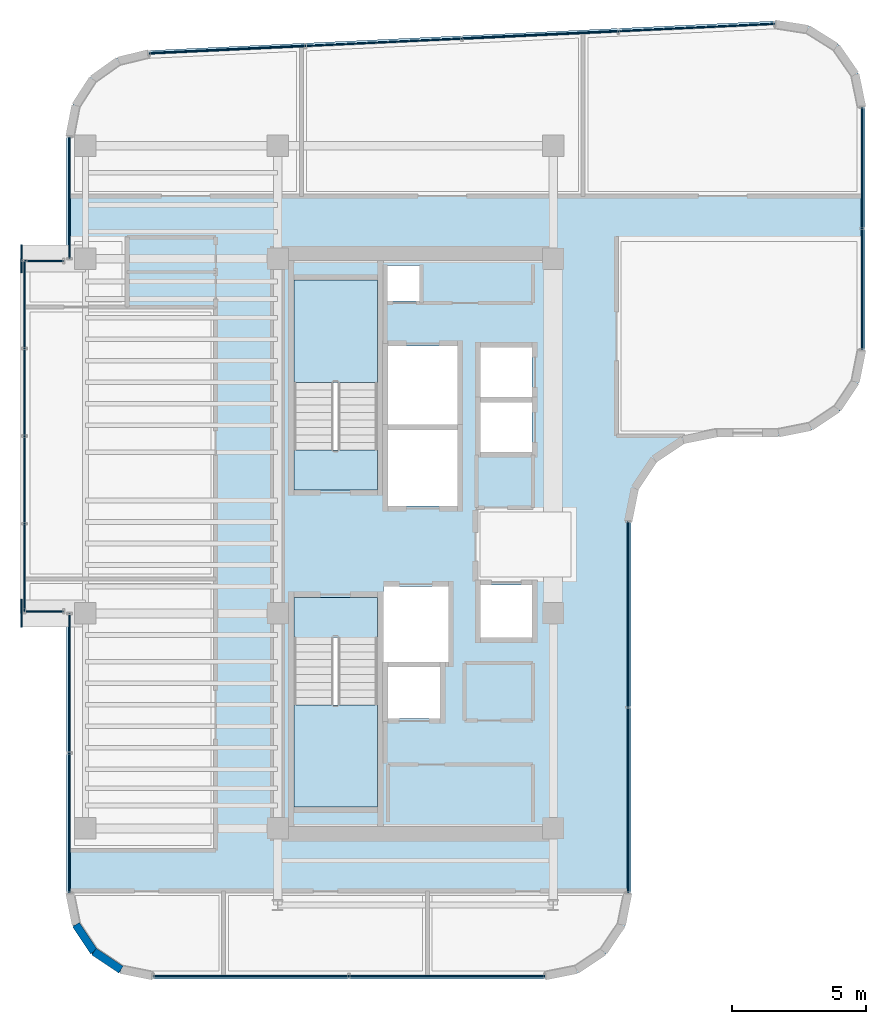
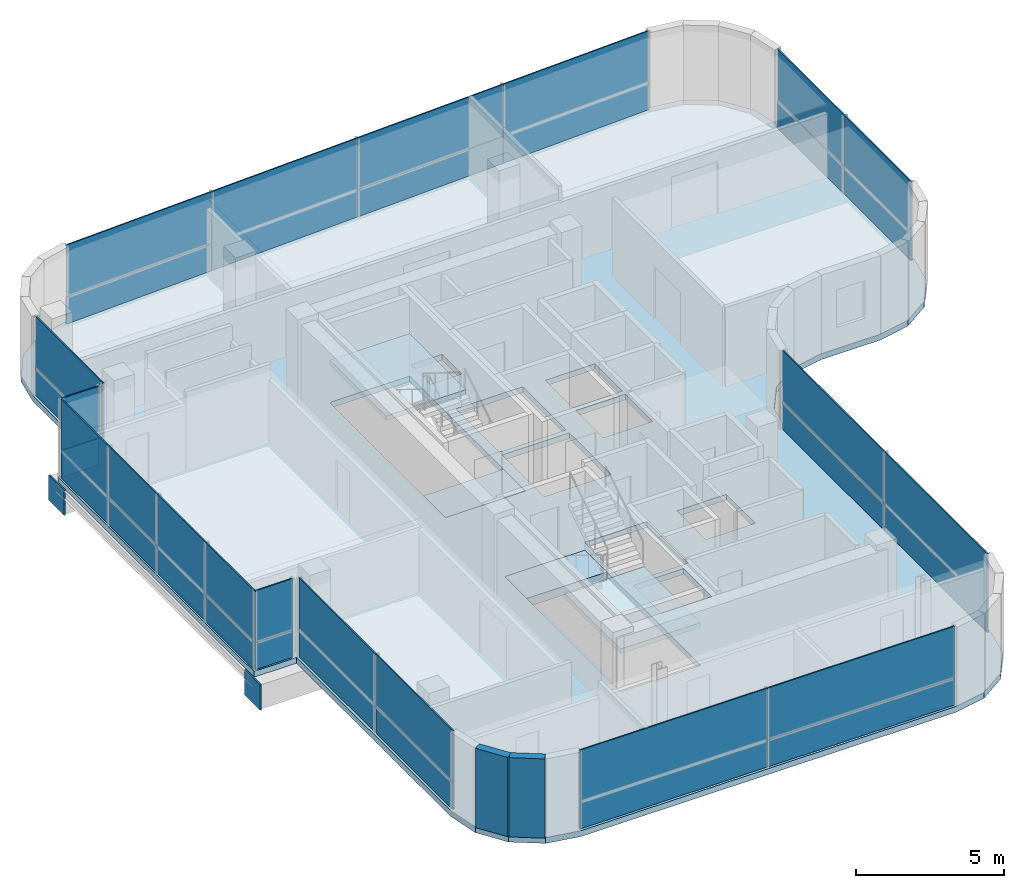
# One storey, part 13 of 18: 32 plates, 5 slabs, 2 walls, 11 elements without a shape of their own.
"""IFC4 building model written with IfcOpenShell, lengths in metres."""

from ifc_helpers import new_model, si_unit, direction, frame, frame_2d, origin, origin_2d, place, context, subcontext, project, spatial, polyline, rectangle, outline, extrude, source, transform, mapped, material, layer, layer_set, type_object, element, aggregate, save


model = new_model("IFC4")

# Units and contexts
model_context = context("Model", 3, precision=1e-05, world=origin(), true_north=direction((0.0, 1.0)))
body_context = subcontext(model_context, "Body", "Model", "MODEL_VIEW")
ifc_project = project(units=[si_unit("LENGTHUNIT", "METRE"), si_unit("AREAUNIT", "SQUARE_METRE"), si_unit("VOLUMEUNIT", "CUBIC_METRE"), si_unit("PLANEANGLEUNIT", "RADIAN"), si_unit("MASSUNIT", "GRAM", prefix="KILO")], contexts=[model_context])

# Site, building, storey
site_placement = place(None, origin())
site = spatial("IfcSite", under=ifc_project, at=site_placement, CompositionType="ELEMENT")
building_placement = place(site_placement, origin())
building = spatial("IfcBuilding", under=site, at=building_placement, Name="Valdorenza Pilgrim Sanctuary Tower", CompositionType="ELEMENT")
storey_placement = place(building_placement, frame((0.0, 0.0, 276.5)))
storey = spatial("IfcBuildingStorey", under=building, at=storey_placement, Name="L72", CompositionType="ELEMENT", Elevation=276.5)

# Slab
ifc_material_1 = material(Name="Concrete C40/50", Category="concrete")
ifc_layer_1 = layer(ifc_material_1, 0.239990234375, Name="Concrete C40/50")
ifc_layer_set_1 = layer_set([ifc_layer_1], Name="Concrete C40/50")
slab_type_1 = type_object("IfcSlabType", Name="SLAB-FLR-220", PredefinedType="FLOOR", material=ifc_layer_set_1)
slab_1_placement = place(storey_placement, frame((0.0, 0.0, -0.239990234375)))
element("IfcSlab", 1, at=slab_1_placement, inside=storey, type_object=slab_type_1, Name="L72 Structural Floor Slab 1", PredefinedType="FLOOR", context=body_context, shape_type="SweptSolid", body=[
    extrude(outline(polyline([(-30.2705078125, 16.3369140625), (-29.615478515625, 17.356201171875), (-28.628173828125, 18.05859375), (-27.45068359375, 18.34375), (-4.150634765625, 19.442138671875), (-2.880615234375, 19.243408203125), (-1.791259765625, 18.56103515625), (-1.05810546875, 17.5048828125), (-0.800048828125, 16.24560546875), (-0.800048828125, 7.199951171875), (-1.043701171875, 5.975341796875), (-1.7373046875, 4.937255859375), (-2.775390625, 4.24365234375), (-4.0, 4.0), (-6.300048828125, 4.0), (-7.524658203125, 3.75634765625), (-8.562744140625, 3.062744140625), (-9.25634765625, 2.024658203125), (-9.5, 0.800048828125), (-9.5, -13.0), (-9.74365234375, -14.224609375), (-10.437255859375, -15.2626953125), (-11.475341796875, -15.956298828125), (-12.699951171875, -16.199951171875), (-27.300048828125, -16.199951171875), (-28.524658203125, -15.956298828125), (-29.562744140625, -15.2626953125), (-30.25634765625, -14.224609375), (-30.5, -13.0), (-30.5, -2.60009765625), (-32.14990234375, -2.60009765625), (-32.14990234375, 10.60009765625), (-30.5, 10.60009765625), (-30.5, 15.147216796875), (-30.2705078125, 16.3369140625)]), holes=[polyline([(-22.050048828125, -9.800048828125), (-18.93994140625, -9.800048828125), (-18.93994140625, -3.485107421875), (-18.93994140625, -2.0), (-22.050048828125, -2.0), (-22.050048828125, -3.485107421875), (-22.050048828125, -9.800048828125)]), polyline([(-16.60009765625, -6.5), (-16.60009765625, -4.60009765625), (-18.550048828125, -4.60009765625), (-18.550048828125, -6.5), (-16.60009765625, -6.5)]), polyline([(-22.050048828125, 2.0), (-18.93994140625, 2.0), (-18.93994140625, 3.485107421875), (-18.93994140625, 9.800048828125), (-22.050048828125, 9.800048828125), (-22.050048828125, 3.485107421875), (-22.050048828125, 2.0)]), polyline([(-17.360107421875, 9.030029296875), (-17.360107421875, 10.35009765625), (-18.570068359375, 10.35009765625), (-18.570068359375, 9.030029296875), (-17.360107421875, 9.030029296875)]), polyline([(-16.300048828125, -1.60009765625), (-18.719970703125, -1.60009765625), (-18.719970703125, -4.39990234375), (-16.300048828125, -4.39990234375), (-16.300048828125, -1.60009765625)]), polyline([(-13.179931640625, -3.5), (-13.179931640625, -1.550048828125), (-15.10009765625, -1.550048828125), (-15.10009765625, -3.5), (-13.179931640625, -3.5)]), polyline([(-15.949951171875, 1.39990234375), (-15.949951171875, 4.22509765625), (-18.550048828125, 4.22509765625), (-18.550048828125, 1.39990234375), (-15.949951171875, 1.39990234375)]), polyline([(-13.179931640625, 5.25), (-15.10009765625, 5.25), (-15.10009765625, 3.39990234375), (-13.179931640625, 3.39990234375), (-13.179931640625, 5.25)]), polyline([(-15.949951171875, 4.425048828125), (-15.949951171875, 7.35009765625), (-18.550048828125, 7.35009765625), (-18.550048828125, 4.425048828125), (-15.949951171875, 4.425048828125)]), polyline([(-13.179931640625, 5.449951171875), (-13.179931640625, 7.300048828125), (-15.10009765625, 7.300048828125), (-15.10009765625, 5.449951171875), (-13.179931640625, 5.449951171875)])]), origin(), (0.0, 0.0, 1.0), 0.239990234375),
])

# Stair, slab
stair_type = type_object("IfcStairType", Name="STR-DOG-CORE", PredefinedType="HALF_TURN_STAIR", material=ifc_material_1)
stair_1_placement = place(storey_placement, origin())
stair_1 = element("IfcStair", 2, at=stair_1_placement, inside=storey, type_object=stair_type, Name="L72 ST-A1", PredefinedType="HALF_TURN_STAIR")
ifc_layer_2 = layer(ifc_material_1, 0.199951171875, Name="Concrete C40/50")
ifc_layer_set_2 = layer_set([ifc_layer_2], Name="Concrete C40/50")
slab_type_2 = type_object("IfcSlabType", Name="SLAB-STL-200", PredefinedType="LANDING", material=ifc_layer_set_2)
slab_2_placement = place(storey_placement, frame((0.0, 0.0, 1.550048828125)))
slab_2 = element("IfcSlab", 3, at=slab_2_placement, type_object=slab_type_2, Name="ST-A1 landing 1", PredefinedType="LANDING", context=body_context, shape_type="SweptSolid", body=[
    extrude(outline(polyline([(-18.93994140625, 6.0), (-18.93994140625, 9.800048828125), (-22.050048828125, 9.800048828125), (-22.050048828125, 6.0), (-18.93994140625, 6.0)])), origin(), (0.0, 0.0, 1.0), 0.199951171875),
])
aggregate(stair_1, [slab_2])

stair_2_placement = place(storey_placement, origin())
stair_2 = element("IfcStair", 4, at=stair_2_placement, inside=storey, type_object=stair_type, Name="L72 ST-A2", PredefinedType="HALF_TURN_STAIR")
slab_3_placement = place(storey_placement, frame((0.0, 0.0, 1.550048828125)))
slab_3 = element("IfcSlab", 5, at=slab_3_placement, type_object=slab_type_2, Name="ST-A2 landing 1", PredefinedType="LANDING", context=body_context, shape_type="SweptSolid", body=[
    extrude(outline(polyline([(-22.050048828125, -6.0), (-22.050048828125, -9.800048828125), (-18.93994140625, -9.800048828125), (-18.93994140625, -6.0), (-22.050048828125, -6.0)])), origin(), (0.0, 0.0, 1.0), 0.199951171875),
])
aggregate(stair_2, [slab_3])

# Slabs
ifc_material_2 = material(Name="Concrete C50/60", Category="concrete")
ifc_layer_3 = layer(ifc_material_2, 0.39990234375, Name="Concrete C50/60")
ifc_layer_set_3 = layer_set([ifc_layer_3], Name="Concrete C50/60")
slab_type_3 = type_object("IfcSlabType", Name="SLAB-TRF-400", PredefinedType="FLOOR", material=ifc_layer_set_3)
slab_4_placement = place(storey_placement, frame((0.0, 0.0, -0.360107421875)))
element("IfcSlab", 6, at=slab_4_placement, inside=storey, type_object=slab_type_3, Name="L72 ST-A1 Structural Stair Landing Bearing Slab", PredefinedType="FLOOR", context=body_context, shape_type="SweptSolid", body=[
    extrude(outline(polyline([(-22.050048828125, 2.0), (-18.93994140625, 2.0), (-18.93994140625, 3.485107421875), (-22.050048828125, 3.485107421875), (-22.050048828125, 2.0)])), origin(), (0.0, 0.0, 1.0), 0.360107421875),
])
slab_5_placement = place(storey_placement, frame((0.0, 0.0, -0.360107421875)))
element("IfcSlab", 7, at=slab_5_placement, inside=storey, type_object=slab_type_3, Name="L72 ST-A2 Structural Stair Landing Bearing Slab", PredefinedType="FLOOR", context=body_context, shape_type="SweptSolid", body=[
    extrude(outline(polyline([(-22.050048828125, -3.485107421875), (-18.93994140625, -3.485107421875), (-18.93994140625, -2.0), (-22.050048828125, -2.0), (-22.050048828125, -3.485107421875)])), origin(), (0.0, 0.0, 1.0), 0.360107421875),
])

# Plates
ifc_material_3 = material(Name="Steel ASTM A572 Grade 42", Category="steel")
ifc_layer_4 = layer(ifc_material_3, 0.06005859375, Name="Steel ASTM A572 Grade 42")
ifc_layer_set_4 = layer_set([ifc_layer_4], Name="Steel ASTM A572 Grade 42")
plate_type_1 = type_object("IfcPlateType", Name="PLT-CAP-60", PredefinedType="SHEET", material=ifc_layer_set_4)
shared_shape_1 = source(origin(), body_context, "Body", "SweptSolid", [
    extrude(rectangle(XDim=0.06005859375, YDim=1.0400390625, at=origin_2d()), origin(), (0.0, 0.0, 1.0), 1.0400390625),
])
for number, where, z_axis, x_axis, name in (
    (8, (-32.179931640625, 10.60009765625, -1.260009765625), (0.0, 0.0, 1.0), (1.0, 0.0, 0.0), "L72 BOX-WA-L72 Cantilever Tip End Cap N"),
    (9, (-32.179931640625, -2.60009765625, -1.260009765625), (0.0, 0.0, 1.0), (1.0, 0.0, 0.0), "L72 BOX-WA-L72 Cantilever Tip End Cap S"),
):
    element("IfcPlate", number, at=place(storey_placement, frame(where, z_axis=z_axis, x_axis=x_axis)), inside=storey, type_object=plate_type_1, Name=name, PredefinedType="SHEET", context=body_context, shape_type="MappedRepresentation", body=[
        mapped(shared_shape_1, transform((0.0, 0.0, 0.0), x_axis=(1.0, 0.0, 0.0), y_axis=(0.0, 1.0, 0.0), z_axis=(0.0, 0.0, 1.0), scale=1.0)),
    ])

# Curtain wall, plate
ifc_material_4 = material(Name="Curtain-wall IGU glazing", Category="glass")
curtain_wall_type = type_object("IfcCurtainWallType", Name="CW-SYS-02", PredefinedType="NOTDEFINED", material=ifc_material_4)
curtain_wall_1_placement = place(storey_placement, origin())
curtain_wall_1 = element("IfcCurtainWall", 10, at=curtain_wall_1_placement, inside=storey, type_object=curtain_wall_type, Name="L72 Curtain Wall CW-L72-BOX-WA-L72-S", PredefinedType="NOTDEFINED")
ifc_material_5 = material(Name="Honed travertine limestone", Category="masonry")
ifc_layer_5 = layer(ifc_material_5, 0.050048828125, Name="Honed travertine limestone")
ifc_layer_set_5 = layer_set([ifc_layer_5], Name="Honed travertine limestone")
plate_type_2 = type_object("IfcPlateType", Name="CW-SPN-TRV", PredefinedType="USERDEFINED", material=ifc_layer_set_5)
shared_shape_2 = source(origin(), body_context, "Body", "SweptSolid", [
    extrude(rectangle(XDim=1.43994140625, YDim=0.06005859375, at=origin_2d()), origin(), (0.0, 0.0, 1.0), 1.10009765625),
])
plate_1_placement = place(storey_placement, frame((-31.340087890625, -2.52001953125, 0.010009765625), z_axis=(0.0, 0.0, 1.0), x_axis=(-1.0, 0.0, 0.0)))
plate_1 = element("IfcPlate", 11, at=plate_1_placement, type_object=plate_type_2, Name="CW-L72-BOX-WA-L72-S Travertine Spandrel 1", ObjectType="SPANDREL", PredefinedType="USERDEFINED", context=body_context, shape_type="MappedRepresentation", body=[
    mapped(shared_shape_2, transform((0.0, 0.0, 0.0), x_axis=(1.0, 0.0, 0.0), y_axis=(0.0, 1.0, 0.0), z_axis=(0.0, 0.0, 1.0), scale=1.0)),
])

curtain_wall_2_placement = place(storey_placement, origin())
curtain_wall_2 = element("IfcCurtainWall", 12, at=curtain_wall_2_placement, inside=storey, type_object=curtain_wall_type, Name="L72 Curtain Wall CW-L72-BOX-WA-L72-N", PredefinedType="NOTDEFINED")
plate_2_placement = place(storey_placement, frame((-31.340087890625, 10.52001953125, 0.010009765625), z_axis=(0.0, 0.0, 1.0), x_axis=(1.0, 0.0, 0.0)))
plate_2 = element("IfcPlate", 13, at=plate_2_placement, type_object=plate_type_2, Name="CW-L72-BOX-WA-L72-N Travertine Spandrel 1", ObjectType="SPANDREL", PredefinedType="USERDEFINED", context=body_context, shape_type="MappedRepresentation", body=[
    mapped(shared_shape_2, transform((0.0, 0.0, 0.0), x_axis=(1.0, 0.0, 0.0), y_axis=(0.0, 1.0, 0.0), z_axis=(0.0, 0.0, 1.0), scale=1.0)),
])

# Curtain wall, plates
curtain_wall_3_placement = place(storey_placement, origin())
curtain_wall_3 = element("IfcCurtainWall", 14, at=curtain_wall_3_placement, inside=storey, type_object=curtain_wall_type, Name="L72 Curtain Wall CW-L72-BOX-WA-L72-F", PredefinedType="NOTDEFINED")
shared_shape_3 = source(origin(), body_context, "Body", "SweptSolid", [
    extrude(rectangle(XDim=3.239990234375, YDim=0.06005859375, at=origin_2d()), origin(), (0.0, 0.0, 1.0), 1.10009765625),
])
plate_3_placement = place(storey_placement, frame((-32.070068359375, -0.889892578125, 0.010009765625), z_axis=(0.0, 0.0, 1.0), x_axis=(0.0, 1.0, 0.0)))
plate_3 = element("IfcPlate", 15, at=plate_3_placement, type_object=plate_type_2, Name="CW-L72-BOX-WA-L72-F Travertine Spandrel 1", ObjectType="SPANDREL", PredefinedType="USERDEFINED", context=body_context, shape_type="MappedRepresentation", body=[
    mapped(shared_shape_3, transform((0.0, 0.0, 0.0), x_axis=(1.0, 0.0, 0.0), y_axis=(0.0, 1.0, 0.0), z_axis=(0.0, 0.0, 1.0), scale=1.0)),
])
plate_4_placement = place(storey_placement, frame((-32.070068359375, 5.6298828125, 0.010009765625), z_axis=(0.0, 0.0, 1.0), x_axis=(0.0, 1.0, 0.0)))
plate_4 = element("IfcPlate", 16, at=plate_4_placement, type_object=plate_type_2, Name="CW-L72-BOX-WA-L72-F Travertine Spandrel 3", ObjectType="SPANDREL", PredefinedType="USERDEFINED", context=body_context, shape_type="MappedRepresentation", body=[
    mapped(shared_shape_3, transform((0.0, 0.0, 0.0), x_axis=(1.0, 0.0, 0.0), y_axis=(0.0, 1.0, 0.0), z_axis=(0.0, 0.0, 1.0), scale=1.0)),
])

# Plate
ifc_material_6 = material(Name="Ceramic-fritted low-E IGU glazing", Category="glass")
ifc_layer_6 = layer(ifc_material_6, 0.035888671875, Name="Ceramic-fritted low-E IGU glazing")
ifc_layer_set_6 = layer_set([ifc_layer_6], Name="Ceramic-fritted low-E IGU glazing")
plate_type_3 = type_object("IfcPlateType", Name="CW-GLZ-IGU", PredefinedType="USERDEFINED", material=ifc_layer_set_6)
shared_shape_4 = source(origin(), body_context, "Body", "SweptSolid", [
    extrude(rectangle(XDim=1.43994140625, YDim=0.050048828125, at=origin_2d()), origin(), (0.0, 0.0, 1.0), 2.1201171875),
])
plate_5_placement = place(storey_placement, frame((-31.340087890625, -2.52001953125, 1.1298828125), z_axis=(0.0, 0.0, 1.0), x_axis=(-1.0, 0.0, 0.0)))
plate_5 = element("IfcPlate", 17, at=plate_5_placement, type_object=plate_type_3, Name="CW-L72-BOX-WA-L72-S Facade Panel 1", ObjectType="GLAZING", PredefinedType="USERDEFINED", context=body_context, shape_type="MappedRepresentation", body=[
    mapped(shared_shape_4, transform((0.0, 0.0, 0.0), x_axis=(1.0, 0.0, 0.0), y_axis=(0.0, 1.0, 0.0), z_axis=(0.0, 0.0, 1.0), scale=1.0)),
])

aggregate(curtain_wall_1, [plate_1, plate_5])

plate_6_placement = place(storey_placement, frame((-31.340087890625, 10.52001953125, 1.1298828125), z_axis=(0.0, 0.0, 1.0), x_axis=(1.0, 0.0, 0.0)))
plate_6 = element("IfcPlate", 18, at=plate_6_placement, type_object=plate_type_3, Name="CW-L72-BOX-WA-L72-N Facade Panel 1", ObjectType="GLAZING", PredefinedType="USERDEFINED", context=body_context, shape_type="MappedRepresentation", body=[
    mapped(shared_shape_4, transform((0.0, 0.0, 0.0), x_axis=(1.0, 0.0, 0.0), y_axis=(0.0, 1.0, 0.0), z_axis=(0.0, 0.0, 1.0), scale=1.0)),
])

aggregate(curtain_wall_2, [plate_2, plate_6])

shared_shape_5 = source(origin(), body_context, "Body", "SweptSolid", [
    extrude(rectangle(XDim=3.239990234375, YDim=0.050048828125, at=origin_2d()), origin(), (0.0, 0.0, 1.0), 2.1201171875),
])
plate_7_placement = place(storey_placement, frame((-32.070068359375, -0.889892578125, 1.1298828125), z_axis=(0.0, 0.0, 1.0), x_axis=(0.0, 1.0, 0.0)))
plate_7 = element("IfcPlate", 19, at=plate_7_placement, type_object=plate_type_3, Name="CW-L72-BOX-WA-L72-F Facade Panel 1", ObjectType="GLAZING", PredefinedType="USERDEFINED", context=body_context, shape_type="MappedRepresentation", body=[
    mapped(shared_shape_5, transform((0.0, 0.0, 0.0), x_axis=(1.0, 0.0, 0.0), y_axis=(0.0, 1.0, 0.0), z_axis=(0.0, 0.0, 1.0), scale=1.0)),
])

plate_8_placement = place(storey_placement, frame((-32.070068359375, 5.6298828125, 1.1298828125), z_axis=(0.0, 0.0, 1.0), x_axis=(0.0, 1.0, 0.0)))
plate_8 = element("IfcPlate", 20, at=plate_8_placement, type_object=plate_type_3, Name="CW-L72-BOX-WA-L72-F Facade Panel 3", ObjectType="GLAZING", PredefinedType="USERDEFINED", context=body_context, shape_type="MappedRepresentation", body=[
    mapped(shared_shape_5, transform((0.0, 0.0, 0.0), x_axis=(1.0, 0.0, 0.0), y_axis=(0.0, 1.0, 0.0), z_axis=(0.0, 0.0, 1.0), scale=1.0)),
])

shared_shape_6 = source(origin(), body_context, "Body", "SweptSolid", [
    extrude(rectangle(XDim=3.239990234375, YDim=0.050048828125, at=origin_2d()), origin(), (0.0, 0.0, 1.0), 3.239990234375),
])
plate_9_placement = place(storey_placement, frame((-32.070068359375, 2.3701171875, 0.009765625), z_axis=(0.0, 0.0, 1.0), x_axis=(0.0, 1.0, 0.0)))
plate_9 = element("IfcPlate", 21, at=plate_9_placement, type_object=plate_type_3, Name="CW-L72-BOX-WA-L72-F Full-Height Facade Panel 2", ObjectType="GLAZING", PredefinedType="USERDEFINED", context=body_context, shape_type="MappedRepresentation", body=[
    mapped(shared_shape_6, transform((0.0, 0.0, 0.0), x_axis=(1.0, 0.0, 0.0), y_axis=(0.0, 1.0, 0.0), z_axis=(0.0, 0.0, 1.0), scale=1.0)),
])

plate_10_placement = place(storey_placement, frame((-32.070068359375, 8.889892578125, 0.009765625), z_axis=(0.0, 0.0, 1.0), x_axis=(0.0, 1.0, 0.0)))
plate_10 = element("IfcPlate", 22, at=plate_10_placement, type_object=plate_type_3, Name="CW-L72-BOX-WA-L72-F Full-Height Facade Panel 4", ObjectType="GLAZING", PredefinedType="USERDEFINED", context=body_context, shape_type="MappedRepresentation", body=[
    mapped(shared_shape_6, transform((0.0, 0.0, 0.0), x_axis=(1.0, 0.0, 0.0), y_axis=(0.0, 1.0, 0.0), z_axis=(0.0, 0.0, 1.0), scale=1.0)),
])

aggregate(curtain_wall_3, [plate_3, plate_7, plate_9, plate_4, plate_8, plate_10])

# Curtain wall, plates
curtain_wall_4_placement = place(storey_placement, origin())
curtain_wall_4 = element("IfcCurtainWall", 23, at=curtain_wall_4_placement, inside=storey, type_object=curtain_wall_type, Name="L72 Curtain Wall CW-L72-1-1S1", PredefinedType="NOTDEFINED")
shared_shape_7 = source(origin(), body_context, "Body", "SweptSolid", [
    extrude(rectangle(XDim=5.174560546875, YDim=0.06005859375, at=origin_2d()), origin(), (0.0, 0.0, 1.0), 1.10009765625),
])
plate_11_placement = place(storey_placement, frame((-30.389892578125, -10.391845703125, 0.010009765625), z_axis=(0.0, 0.0, 1.0), x_axis=(0.0, 1.0, 0.0)))
plate_11 = element("IfcPlate", 24, at=plate_11_placement, type_object=plate_type_2, Name="CW-L72-1-1S1 Travertine Spandrel 1", ObjectType="SPANDREL", PredefinedType="USERDEFINED", context=body_context, shape_type="MappedRepresentation", body=[
    mapped(shared_shape_7, transform((0.0, 0.0, 0.0), x_axis=(1.0, 0.0, 0.0), y_axis=(0.0, 1.0, 0.0), z_axis=(0.0, 0.0, 1.0), scale=1.0)),
])
shared_shape_8 = source(origin(), body_context, "Body", "SweptSolid", [
    extrude(rectangle(XDim=5.174560546875, YDim=0.050048828125, at=origin_2d()), origin(), (0.0, 0.0, 1.0), 2.1201171875),
])
plate_12_placement = place(storey_placement, frame((-30.389892578125, -10.391845703125, 1.1298828125), z_axis=(0.0, 0.0, 1.0), x_axis=(0.0, 1.0, 0.0)))
plate_12 = element("IfcPlate", 25, at=plate_12_placement, type_object=plate_type_3, Name="CW-L72-1-1S1 Facade Panel 1", ObjectType="GLAZING", PredefinedType="USERDEFINED", context=body_context, shape_type="MappedRepresentation", body=[
    mapped(shared_shape_8, transform((0.0, 0.0, 0.0), x_axis=(1.0, 0.0, 0.0), y_axis=(0.0, 1.0, 0.0), z_axis=(0.0, 0.0, 1.0), scale=1.0)),
])
shared_shape_9 = source(origin(), body_context, "Body", "SweptSolid", [
    extrude(rectangle(XDim=5.174560546875, YDim=0.050048828125, at=origin_2d()), origin(), (0.0, 0.0, 1.0), 3.239990234375),
])
plate_13_placement = place(storey_placement, frame((-30.389892578125, -5.197265625, 0.009765625), z_axis=(0.0, 0.0, 1.0), x_axis=(0.0, 1.0, 0.0)))
plate_13 = element("IfcPlate", 26, at=plate_13_placement, type_object=plate_type_3, Name="CW-L72-1-1S1 Full-Height Facade Panel 2", ObjectType="GLAZING", PredefinedType="USERDEFINED", context=body_context, shape_type="MappedRepresentation", body=[
    mapped(shared_shape_9, transform((0.0, 0.0, 0.0), x_axis=(1.0, 0.0, 0.0), y_axis=(0.0, 1.0, 0.0), z_axis=(0.0, 0.0, 1.0), scale=1.0)),
])
aggregate(curtain_wall_4, [plate_11, plate_12, plate_13])

curtain_wall_5_placement = place(storey_placement, origin())
curtain_wall_5 = element("IfcCurtainWall", 27, at=curtain_wall_5_placement, inside=storey, type_object=curtain_wall_type, Name="L72 Curtain Wall CW-L72-1-1S2", PredefinedType="NOTDEFINED")
shared_shape_10 = source(origin(), body_context, "Body", "SweptSolid", [
    extrude(rectangle(XDim=4.516845703125, YDim=0.06005859375, at=origin_2d()), origin(), (0.0, 0.0, 1.0), 1.10009765625),
])
plate_14_placement = place(storey_placement, frame((-30.389892578125, 12.868408203125, 0.010009765625), z_axis=(0.0, 0.0, 1.0), x_axis=(0.0, 1.0, 0.0)))
plate_14 = element("IfcPlate", 28, at=plate_14_placement, type_object=plate_type_2, Name="CW-L72-1-1S2 Travertine Spandrel 1", ObjectType="SPANDREL", PredefinedType="USERDEFINED", context=body_context, shape_type="MappedRepresentation", body=[
    mapped(shared_shape_10, transform((0.0, 0.0, 0.0), x_axis=(1.0, 0.0, 0.0), y_axis=(0.0, 1.0, 0.0), z_axis=(0.0, 0.0, 1.0), scale=1.0)),
])
shared_shape_11 = source(origin(), body_context, "Body", "SweptSolid", [
    extrude(rectangle(XDim=4.516845703125, YDim=0.050048828125, at=origin_2d()), origin(), (0.0, 0.0, 1.0), 2.1201171875),
])
plate_15_placement = place(storey_placement, frame((-30.389892578125, 12.868408203125, 1.1298828125), z_axis=(0.0, 0.0, 1.0), x_axis=(0.0, 1.0, 0.0)))
plate_15 = element("IfcPlate", 29, at=plate_15_placement, type_object=plate_type_3, Name="CW-L72-1-1S2 Facade Panel 1", ObjectType="GLAZING", PredefinedType="USERDEFINED", context=body_context, shape_type="MappedRepresentation", body=[
    mapped(shared_shape_11, transform((0.0, 0.0, 0.0), x_axis=(1.0, 0.0, 0.0), y_axis=(0.0, 1.0, 0.0), z_axis=(0.0, 0.0, 1.0), scale=1.0)),
])
aggregate(curtain_wall_5, [plate_14, plate_15])

curtain_wall_6_placement = place(storey_placement, origin())
curtain_wall_6 = element("IfcCurtainWall", 30, at=curtain_wall_6_placement, inside=storey, type_object=curtain_wall_type, Name="L72 Curtain Wall CW-L72-1-6", PredefinedType="NOTDEFINED")
shared_shape_12 = source(origin(), body_context, "Body", "SweptSolid", [
    extrude(rectangle(XDim=5.805908203125, YDim=0.06005859375, at=origin_2d()), origin(), (0.0, 0.0, 1.0), 1.10009765625),
])
plate_16_placement = place(storey_placement, frame((-24.525146484375, 18.37158203125, 0.010009765625), z_axis=(0.0, 0.0, 1.0), x_axis=(0.998890696972, 0.047089016785, 0.0)))
plate_16 = element("IfcPlate", 31, at=plate_16_placement, type_object=plate_type_2, Name="CW-L72-1-6 Travertine Spandrel 1", ObjectType="SPANDREL", PredefinedType="USERDEFINED", context=body_context, shape_type="MappedRepresentation", body=[
    mapped(shared_shape_12, transform((0.0, 0.0, 0.0), x_axis=(1.0, 0.0, 0.0), y_axis=(0.0, 1.0, 0.0), z_axis=(0.0, 0.0, 1.0), scale=1.0)),
])
plate_17_placement = place(storey_placement, frame((-12.885986328125, 18.920166015625, 0.010009765625), z_axis=(0.0, 0.0, 1.0), x_axis=(0.998890696972, 0.047089016785, 0.0)))
plate_17 = element("IfcPlate", 32, at=plate_17_placement, type_object=plate_type_2, Name="CW-L72-1-6 Travertine Spandrel 3", ObjectType="SPANDREL", PredefinedType="USERDEFINED", context=body_context, shape_type="MappedRepresentation", body=[
    mapped(shared_shape_12, transform((0.0, 0.0, 0.0), x_axis=(1.0, 0.0, 0.0), y_axis=(0.0, 1.0, 0.0), z_axis=(0.0, 0.0, 1.0), scale=1.0)),
])
shared_shape_13 = source(origin(), body_context, "Body", "SweptSolid", [
    extrude(rectangle(XDim=5.805908203125, YDim=0.050048828125, at=origin_2d()), origin(), (0.0, 0.0, 1.0), 2.1201171875),
])
plate_18_placement = place(storey_placement, frame((-24.525146484375, 18.37158203125, 1.1298828125), z_axis=(0.0, 0.0, 1.0), x_axis=(0.998890696972, 0.047089016785, 0.0)))
plate_18 = element("IfcPlate", 33, at=plate_18_placement, type_object=plate_type_3, Name="CW-L72-1-6 Facade Panel 1", ObjectType="GLAZING", PredefinedType="USERDEFINED", context=body_context, shape_type="MappedRepresentation", body=[
    mapped(shared_shape_13, transform((0.0, 0.0, 0.0), x_axis=(1.0, 0.0, 0.0), y_axis=(0.0, 1.0, 0.0), z_axis=(0.0, 0.0, 1.0), scale=1.0)),
])
plate_19_placement = place(storey_placement, frame((-12.885986328125, 18.920166015625, 1.1298828125), z_axis=(0.0, 0.0, 1.0), x_axis=(0.998890696972, 0.047089016785, 0.0)))
plate_19 = element("IfcPlate", 34, at=plate_19_placement, type_object=plate_type_3, Name="CW-L72-1-6 Facade Panel 3", ObjectType="GLAZING", PredefinedType="USERDEFINED", context=body_context, shape_type="MappedRepresentation", body=[
    mapped(shared_shape_13, transform((0.0, 0.0, 0.0), x_axis=(1.0, 0.0, 0.0), y_axis=(0.0, 1.0, 0.0), z_axis=(0.0, 0.0, 1.0), scale=1.0)),
])
shared_shape_14 = source(origin(), body_context, "Body", "SweptSolid", [
    extrude(rectangle(XDim=5.805908203125, YDim=0.050048828125, at=origin_2d()), origin(), (0.0, 0.0, 1.0), 3.239990234375),
])
plate_20_placement = place(storey_placement, frame((-18.70556640625, 18.645751953125, 0.009765625), z_axis=(0.0, 0.0, 1.0), x_axis=(0.998890696972, 0.047089016785, 0.0)))
plate_20 = element("IfcPlate", 35, at=plate_20_placement, type_object=plate_type_3, Name="CW-L72-1-6 Full-Height Facade Panel 2", ObjectType="GLAZING", PredefinedType="USERDEFINED", context=body_context, shape_type="MappedRepresentation", body=[
    mapped(shared_shape_14, transform((0.0, 0.0, 0.0), x_axis=(1.0, 0.0, 0.0), y_axis=(0.0, 1.0, 0.0), z_axis=(0.0, 0.0, 1.0), scale=1.0)),
])
plate_21_placement = place(storey_placement, frame((-7.06640625, 19.194580078125, 0.009765625), z_axis=(0.0, 0.0, 1.0), x_axis=(0.998890696972, 0.047089016785, 0.0)))
plate_21 = element("IfcPlate", 36, at=plate_21_placement, type_object=plate_type_3, Name="CW-L72-1-6 Full-Height Facade Panel 4", ObjectType="GLAZING", PredefinedType="USERDEFINED", context=body_context, shape_type="MappedRepresentation", body=[
    mapped(shared_shape_14, transform((0.0, 0.0, 0.0), x_axis=(1.0, 0.0, 0.0), y_axis=(0.0, 1.0, 0.0), z_axis=(0.0, 0.0, 1.0), scale=1.0)),
])
aggregate(curtain_wall_6, [plate_16, plate_18, plate_20, plate_17, plate_19, plate_21])

curtain_wall_7_placement = place(storey_placement, origin())
curtain_wall_7 = element("IfcCurtainWall", 37, at=curtain_wall_7_placement, inside=storey, type_object=curtain_wall_type, Name="L72 Curtain Wall CW-L72-1-11", PredefinedType="NOTDEFINED")
shared_shape_15 = source(origin(), body_context, "Body", "SweptSolid", [
    extrude(rectangle(XDim=4.49169921875, YDim=0.06005859375, at=origin_2d()), origin(), (0.0, 0.0, 1.0), 1.10009765625),
])
plate_22_placement = place(storey_placement, frame((-0.909912109375, 13.978515625, 0.010009765625), z_axis=(0.0, 0.0, 1.0), x_axis=(0.0, -1.0, 0.0)))
plate_22 = element("IfcPlate", 38, at=plate_22_placement, type_object=plate_type_2, Name="CW-L72-1-11 Travertine Spandrel 1", ObjectType="SPANDREL", PredefinedType="USERDEFINED", context=body_context, shape_type="MappedRepresentation", body=[
    mapped(shared_shape_15, transform((0.0, 0.0, 0.0), x_axis=(1.0, 0.0, 0.0), y_axis=(0.0, 1.0, 0.0), z_axis=(0.0, 0.0, 1.0), scale=1.0)),
])
shared_shape_16 = source(origin(), body_context, "Body", "SweptSolid", [
    extrude(rectangle(XDim=4.49169921875, YDim=0.050048828125, at=origin_2d()), origin(), (0.0, 0.0, 1.0), 2.1201171875),
])
plate_23_placement = place(storey_placement, frame((-0.909912109375, 13.978515625, 1.1298828125), z_axis=(0.0, 0.0, 1.0), x_axis=(0.0, -1.0, 0.0)))
plate_23 = element("IfcPlate", 39, at=plate_23_placement, type_object=plate_type_3, Name="CW-L72-1-11 Facade Panel 1", ObjectType="GLAZING", PredefinedType="USERDEFINED", context=body_context, shape_type="MappedRepresentation", body=[
    mapped(shared_shape_16, transform((0.0, 0.0, 0.0), x_axis=(1.0, 0.0, 0.0), y_axis=(0.0, 1.0, 0.0), z_axis=(0.0, 0.0, 1.0), scale=1.0)),
])
shared_shape_17 = source(origin(), body_context, "Body", "SweptSolid", [
    extrude(rectangle(XDim=4.49169921875, YDim=0.050048828125, at=origin_2d()), origin(), (0.0, 0.0, 1.0), 3.239990234375),
])
plate_24_placement = place(storey_placement, frame((-0.909912109375, 9.466796875, 0.009765625), z_axis=(0.0, 0.0, 1.0), x_axis=(0.0, -1.0, 0.0)))
plate_24 = element("IfcPlate", 40, at=plate_24_placement, type_object=plate_type_3, Name="CW-L72-1-11 Full-Height Facade Panel 2", ObjectType="GLAZING", PredefinedType="USERDEFINED", context=body_context, shape_type="MappedRepresentation", body=[
    mapped(shared_shape_17, transform((0.0, 0.0, 0.0), x_axis=(1.0, 0.0, 0.0), y_axis=(0.0, 1.0, 0.0), z_axis=(0.0, 0.0, 1.0), scale=1.0)),
])
aggregate(curtain_wall_7, [plate_22, plate_23, plate_24])

curtain_wall_8_placement = place(storey_placement, origin())
curtain_wall_8 = element("IfcCurtainWall", 41, at=curtain_wall_8_placement, inside=storey, type_object=curtain_wall_type, Name="L72 Curtain Wall CW-L72-1-21", PredefinedType="NOTDEFINED")
shared_shape_18 = source(origin(), body_context, "Body", "SweptSolid", [
    extrude(rectangle(XDim=6.8798828125, YDim=0.06005859375, at=origin_2d()), origin(), (0.0, 0.0, 1.0), 1.10009765625),
])
plate_25_placement = place(storey_placement, frame((-9.610107421875, -2.63916015625, 0.010009765625), z_axis=(0.0, 0.0, 1.0), x_axis=(0.0, -1.0, 0.0)))
plate_25 = element("IfcPlate", 42, at=plate_25_placement, type_object=plate_type_2, Name="CW-L72-1-21 Travertine Spandrel 1", ObjectType="SPANDREL", PredefinedType="USERDEFINED", context=body_context, shape_type="MappedRepresentation", body=[
    mapped(shared_shape_18, transform((0.0, 0.0, 0.0), x_axis=(1.0, 0.0, 0.0), y_axis=(0.0, 1.0, 0.0), z_axis=(0.0, 0.0, 1.0), scale=1.0)),
])
shared_shape_19 = source(origin(), body_context, "Body", "SweptSolid", [
    extrude(rectangle(XDim=6.8798828125, YDim=0.050048828125, at=origin_2d()), origin(), (0.0, 0.0, 1.0), 2.1201171875),
])
plate_26_placement = place(storey_placement, frame((-9.610107421875, -2.63916015625, 1.1298828125), z_axis=(0.0, 0.0, 1.0), x_axis=(0.0, -1.0, 0.0)))
plate_26 = element("IfcPlate", 43, at=plate_26_placement, type_object=plate_type_3, Name="CW-L72-1-21 Facade Panel 1", ObjectType="GLAZING", PredefinedType="USERDEFINED", context=body_context, shape_type="MappedRepresentation", body=[
    mapped(shared_shape_19, transform((0.0, 0.0, 0.0), x_axis=(1.0, 0.0, 0.0), y_axis=(0.0, 1.0, 0.0), z_axis=(0.0, 0.0, 1.0), scale=1.0)),
])
shared_shape_20 = source(origin(), body_context, "Body", "SweptSolid", [
    extrude(rectangle(XDim=6.8798828125, YDim=0.050048828125, at=origin_2d()), origin(), (0.0, 0.0, 1.0), 3.239990234375),
])
plate_27_placement = place(storey_placement, frame((-9.610107421875, -9.539306640625, 0.009765625), z_axis=(0.0, 0.0, 1.0), x_axis=(0.0, -1.0, 0.0)))
plate_27 = element("IfcPlate", 44, at=plate_27_placement, type_object=plate_type_3, Name="CW-L72-1-21 Full-Height Facade Panel 2", ObjectType="GLAZING", PredefinedType="USERDEFINED", context=body_context, shape_type="MappedRepresentation", body=[
    mapped(shared_shape_20, transform((0.0, 0.0, 0.0), x_axis=(1.0, 0.0, 0.0), y_axis=(0.0, 1.0, 0.0), z_axis=(0.0, 0.0, 1.0), scale=1.0)),
])
aggregate(curtain_wall_8, [plate_25, plate_26, plate_27])

curtain_wall_9_placement = place(storey_placement, origin())
curtain_wall_9 = element("IfcCurtainWall", 45, at=curtain_wall_9_placement, inside=storey, type_object=curtain_wall_type, Name="L72 Curtain Wall CW-L72-1-26", PredefinedType="NOTDEFINED")
shared_shape_21 = source(origin(), body_context, "Body", "SweptSolid", [
    extrude(rectangle(XDim=7.269287109375, YDim=0.06005859375, at=origin_2d()), origin(), (0.0, 0.0, 1.0), 1.10009765625),
])
plate_28_placement = place(storey_placement, frame((-16.35546875, -16.090087890625, 0.010009765625), z_axis=(0.0, 0.0, 1.0), x_axis=(-1.0, 0.0, 0.0)))
plate_28 = element("IfcPlate", 46, at=plate_28_placement, type_object=plate_type_2, Name="CW-L72-1-26 Travertine Spandrel 1", ObjectType="SPANDREL", PredefinedType="USERDEFINED", context=body_context, shape_type="MappedRepresentation", body=[
    mapped(shared_shape_21, transform((0.0, 0.0, 0.0), x_axis=(1.0, 0.0, 0.0), y_axis=(0.0, 1.0, 0.0), z_axis=(0.0, 0.0, 1.0), scale=1.0)),
])
shared_shape_22 = source(origin(), body_context, "Body", "SweptSolid", [
    extrude(rectangle(XDim=7.269287109375, YDim=0.050048828125, at=origin_2d()), origin(), (0.0, 0.0, 1.0), 2.1201171875),
])
plate_29_placement = place(storey_placement, frame((-16.35546875, -16.090087890625, 1.1298828125), z_axis=(0.0, 0.0, 1.0), x_axis=(-1.0, 0.0, 0.0)))
plate_29 = element("IfcPlate", 47, at=plate_29_placement, type_object=plate_type_3, Name="CW-L72-1-26 Facade Panel 1", ObjectType="GLAZING", PredefinedType="USERDEFINED", context=body_context, shape_type="MappedRepresentation", body=[
    mapped(shared_shape_22, transform((0.0, 0.0, 0.0), x_axis=(1.0, 0.0, 0.0), y_axis=(0.0, 1.0, 0.0), z_axis=(0.0, 0.0, 1.0), scale=1.0)),
])
shared_shape_23 = source(origin(), body_context, "Body", "SweptSolid", [
    extrude(rectangle(XDim=7.269287109375, YDim=0.050048828125, at=origin_2d()), origin(), (0.0, 0.0, 1.0), 3.239990234375),
])
plate_30_placement = place(storey_placement, frame((-23.64453125, -16.090087890625, 0.009765625), z_axis=(0.0, 0.0, 1.0), x_axis=(-1.0, 0.0, 0.0)))
plate_30 = element("IfcPlate", 48, at=plate_30_placement, type_object=plate_type_3, Name="CW-L72-1-26 Full-Height Facade Panel 2", ObjectType="GLAZING", PredefinedType="USERDEFINED", context=body_context, shape_type="MappedRepresentation", body=[
    mapped(shared_shape_23, transform((0.0, 0.0, 0.0), x_axis=(1.0, 0.0, 0.0), y_axis=(0.0, 1.0, 0.0), z_axis=(0.0, 0.0, 1.0), scale=1.0)),
])
aggregate(curtain_wall_9, [plate_28, plate_29, plate_30])

# Walls
ifc_layer_7 = layer(ifc_material_5, 0.300048828125, Name="Honed travertine limestone")
ifc_layer_set_7 = layer_set([ifc_layer_7], Name="Honed travertine limestone")
wall_type = type_object("IfcWallType", Name="WAL-EXT-300", PredefinedType="SOLIDWALL", material=ifc_layer_set_7)
for number, where, z_axis, x_axis, name in (
    (49, (-28.481689453125, -15.852783203125, 0.0), (0.0, 0.0, 1.0), (-0.831426265255, 0.555635100982, 0.0), "L72 Rounded Wind-Corner Stone Pier 28"),
    (50, (-29.4833984375, -15.183349609375, 0.0), (0.0, 0.0, 1.0), (-0.555635100982, 0.831426265255, 0.0), "L72 Rounded Wind-Corner Stone Pier 29"),
):
    element("IfcWall", number, at=place(storey_placement, frame(where, z_axis=z_axis, x_axis=x_axis)), inside=storey, type_object=wall_type, Name=name, PredefinedType="SOLIDWALL", context=body_context, shape_type="SweptSolid", body=[
        extrude(rectangle(XDim=1.204833984375, YDim=0.300048828125, at=frame_2d((0.6025390625, 0.0))), origin(), (0.0, 0.0, 1.0), 3.260009765625),
    ])

save(model, "model.ifc")
